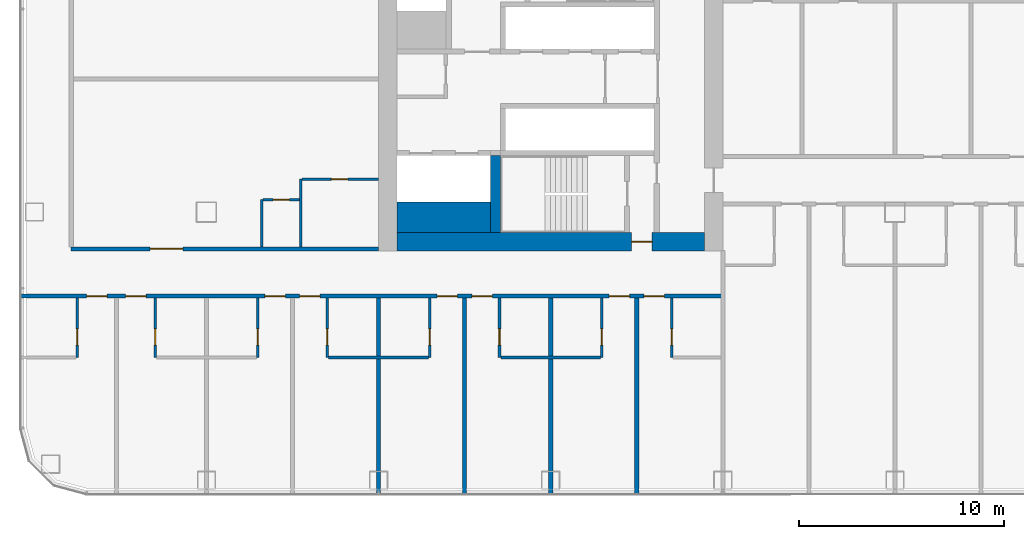
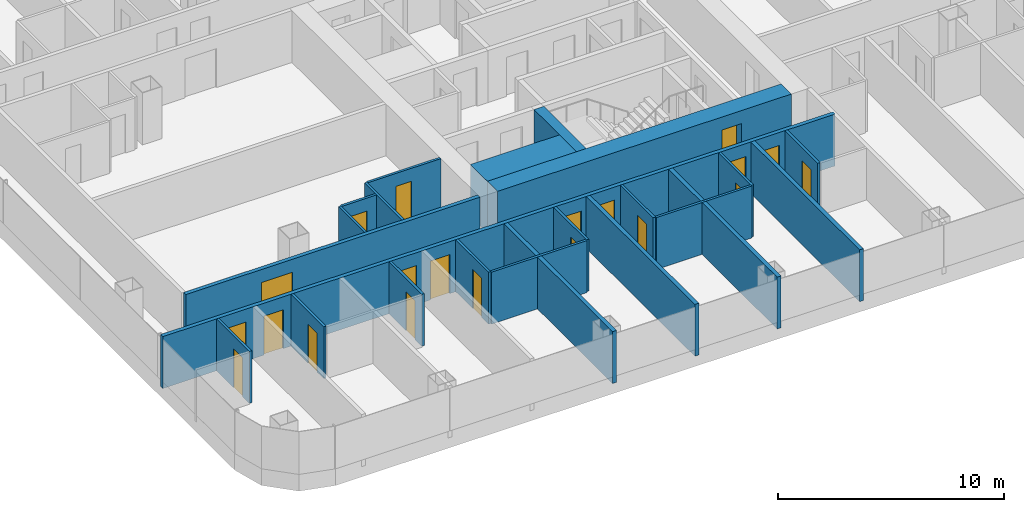
# One storey, part 13 of 29: 23 walls, 20 doors, 20 openings.
"""IFC4 building model written with IfcOpenShell, lengths in metres."""

from ifc_helpers import new_model, si_unit, direction, frame, frame_2d, origin, place, context, subcontext, project, spatial, rectangle, extrude, material, layer, layer_set, type_object, element, fill, save


model = new_model("IFC4")

# Units and contexts
model_context = context("Model", 3, precision=1e-05, world=origin(), true_north=direction((0.0, 1.0)))
body_context = subcontext(model_context, "Body", "Model", "MODEL_VIEW")
ifc_project = project(units=[si_unit("LENGTHUNIT", "METRE"), si_unit("AREAUNIT", "SQUARE_METRE"), si_unit("VOLUMEUNIT", "CUBIC_METRE"), si_unit("PLANEANGLEUNIT", "RADIAN"), si_unit("MASSUNIT", "GRAM", prefix="KILO")], contexts=[model_context])

# Site, building, storey
site_placement = place(None, origin())
site = spatial("IfcSite", under=ifc_project, at=site_placement, CompositionType="ELEMENT")
building_placement = place(site_placement, origin())
building = spatial("IfcBuilding", under=site, at=building_placement, Name="Hakoniwa Tower and Hamabe Station Hall", CompositionType="ELEMENT")
storey_placement = place(building_placement, frame((0.0, 0.0, 55.0)))
storey = spatial("IfcBuildingStorey", under=building, at=storey_placement, Name="L15", CompositionType="ELEMENT", Elevation=55.0)

# Walls
ifc_material_1 = material(Name="Gypsum board partition", Category="gypsum")
ifc_layer_1 = layer(ifc_material_1, 0.125)
ifc_layer_set_1 = layer_set([ifc_layer_1], Name="Bathroom Partition 125")
wall_type_1 = type_object("IfcWallType", Name="Bathroom Partition 125", PredefinedType="PARTITIONING", material=ifc_layer_set_1)
for number, where, z_axis, x_axis, name in (
    (1, (-36.03759765625, -13.60009765625, 0.0), (0.0, 0.0, 1.0), (1.0, 0.0, 0.0), "GW-L15-003"),
    (2, (-27.637451171875, -13.60009765625, 0.0), (0.0, 0.0, 1.0), (1.0, 0.0, 0.0), "GW-L15-004"),
):
    element("IfcWall", number, at=place(storey_placement, frame(where, z_axis=z_axis, x_axis=x_axis)), inside=storey, type_object=wall_type_1, Name=name, PredefinedType="PARTITIONING", context=body_context, shape_type="SweptSolid", body=[
        extrude(rectangle(XDim=4.875, YDim=0.125, at=frame_2d((2.4375, 0.0))), origin(), (0.0, 0.0, 1.0), 2.800048828125),
    ])

# Wall, opening, door
wall_1_placement = place(storey_placement, frame((-39.237548828125, -5.89990234375, 0.0), z_axis=(0.0, 0.0, 1.0), x_axis=(1.0, 0.0, 0.0)))
wall_1 = element("IfcWall", 3, at=wall_1_placement, inside=storey, type_object=wall_type_1, Name="GW-L15-021", PredefinedType="PARTITIONING", context=body_context, shape_type="SweptSolid", body=[
    extrude(rectangle(XDim=1.775146484375, YDim=0.125, at=frame_2d((0.8876953125, 0.0))), origin(), (0.0, 0.0, 1.0), 2.800048828125),
])
opening_1_placement = place(wall_1_placement, frame((0.487548828125, 0.0, 0.0)))
opening_1 = element("IfcOpeningElement", 4, at=opening_1_placement, cuts=wall_1, Name="Opening GD-G1B2-28", PredefinedType="OPENING", context=body_context, shape_type="SweptSolid", body=[
    extrude(rectangle(XDim=0.800048828125, YDim=2.10009765625, at=frame_2d((0.39990234375, 1.050048828125))), frame((0.0, 0.072509765625, 0.0), z_axis=(0.0, -1.0, 0.0), x_axis=(1.0, 0.0, 0.0)), (0.0, 0.0, 1.0), 0.14501953125),
])
ifc_material_2 = material(Name="Timber door leaf", Category="wood")
door_type_1 = type_object("IfcDoorType", Name="Bathroom Door 800", OperationType="SINGLE_SWING_LEFT", PredefinedType="DOOR", material=ifc_material_2)
door_1_placement = place(opening_1_placement, origin())
door_1 = element("IfcDoor", 5, at=door_1_placement, inside=storey, type_object=door_type_1, Name="Door GD-G1B2-28", OperationType="SINGLE_SWING_RIGHT", OverallHeight=2.10009765625, OverallWidth=0.800048828125, PredefinedType="DOOR", context=body_context, shape_type="SweptSolid", body=[
    extrude(rectangle(XDim=0.800048828125, YDim=2.10009765625, at=frame_2d((0.39990234375, 1.050048828125))), frame((0.0, 0.02490234375, 0.0), z_axis=(0.0, -1.0, 0.0), x_axis=(1.0, 0.0, 0.0)), (0.0, 0.0, 1.0), 0.050048828125),
])
fill(opening_1, door_1)

wall_2_placement = place(storey_placement, frame((-37.33740234375, -4.89990234375, 0.0), z_axis=(0.0, 0.0, 1.0), x_axis=(1.0, 0.0, 0.0)))
wall_2 = element("IfcWall", 6, at=wall_2_placement, inside=storey, type_object=wall_type_1, Name="GW-L15-022", PredefinedType="PARTITIONING", context=body_context, shape_type="SweptSolid", body=[
    extrude(rectangle(XDim=3.7373046875, YDim=0.125, at=frame_2d((1.86865234375, 0.0))), origin(), (0.0, 0.0, 1.0), 2.800048828125),
])
opening_2_placement = place(wall_2_placement, frame((1.4375, 0.0, 0.0)))
opening_2 = element("IfcOpeningElement", 7, at=opening_2_placement, cuts=wall_2, Name="Opening GD-G1B2-29", PredefinedType="OPENING", context=body_context, shape_type="SweptSolid", body=[
    extrude(rectangle(XDim=0.800048828125, YDim=2.10009765625, at=frame_2d((0.39990234375, 1.050048828125))), frame((0.0, 0.072509765625, 0.0), z_axis=(0.0, -1.0, 0.0), x_axis=(1.0, 0.0, 0.0)), (0.0, 0.0, 1.0), 0.14501953125),
])
door_2_placement = place(opening_2_placement, origin())
door_2 = element("IfcDoor", 8, at=door_2_placement, inside=storey, type_object=door_type_1, Name="Door GD-G1B2-29", OperationType="SINGLE_SWING_LEFT", OverallHeight=2.10009765625, OverallWidth=0.800048828125, PredefinedType="DOOR", context=body_context, shape_type="SweptSolid", body=[
    extrude(rectangle(XDim=0.800048828125, YDim=2.10009765625, at=frame_2d((0.39990234375, 1.050048828125))), frame((0.0, 0.02490234375, 0.0), z_axis=(0.0, -1.0, 0.0), x_axis=(1.0, 0.0, 0.0)), (0.0, 0.0, 1.0), 0.050048828125),
])
fill(opening_2, door_2)

wall_3_placement = place(storey_placement, frame((-48.300048828125, -13.60009765625, 0.0), z_axis=(0.0, 0.0, 1.0), x_axis=(0.0, 1.0, 0.0)))
wall_3 = element("IfcWall", 9, at=wall_3_placement, inside=storey, type_object=wall_type_1, Name="GW-L15-048", PredefinedType="PARTITIONING", context=body_context, shape_type="SweptSolid", body=[
    extrude(rectangle(XDim=2.900146484375, YDim=0.125, at=frame_2d((1.4501953125, 0.0))), origin(), (0.0, 0.0, 1.0), 2.800048828125),
])
opening_3_placement = place(wall_3_placement, frame((0.60009765625, 0.0, 0.0)))
opening_3 = element("IfcOpeningElement", 10, at=opening_3_placement, cuts=wall_3, Name="Opening GD-G1B2-67", PredefinedType="OPENING", context=body_context, shape_type="SweptSolid", body=[
    extrude(rectangle(XDim=0.800048828125, YDim=2.10009765625, at=frame_2d((0.39990234375, 1.050048828125))), frame((0.0, 0.072509765625, 0.0), z_axis=(0.0, -1.0, 0.0), x_axis=(1.0, 0.0, 0.0)), (0.0, 0.0, 1.0), 0.14501953125),
])
door_3_placement = place(opening_3_placement, origin())
door_3 = element("IfcDoor", 11, at=door_3_placement, inside=storey, type_object=door_type_1, Name="Door GD-G1B2-67", OperationType="SINGLE_SWING_RIGHT", OverallHeight=2.10009765625, OverallWidth=0.800048828125, PredefinedType="DOOR", context=body_context, shape_type="SweptSolid", body=[
    extrude(rectangle(XDim=0.800048828125, YDim=2.10009765625, at=frame_2d((0.39990234375, 1.050048828125))), frame((0.0, 0.02490234375, 0.0), z_axis=(0.0, -1.0, 0.0), x_axis=(1.0, 0.0, 0.0)), (0.0, 0.0, 1.0), 0.050048828125),
])
fill(opening_3, door_3)

wall_4_placement = place(storey_placement, frame((-44.5, -13.60009765625, 0.0), z_axis=(0.0, 0.0, 1.0), x_axis=(0.0, 1.0, 0.0)))
wall_4 = element("IfcWall", 12, at=wall_4_placement, inside=storey, type_object=wall_type_1, Name="GW-L15-053", PredefinedType="PARTITIONING", context=body_context, shape_type="SweptSolid", body=[
    extrude(rectangle(XDim=2.900146484375, YDim=0.125, at=frame_2d((1.4501953125, 0.0))), origin(), (0.0, 0.0, 1.0), 2.800048828125),
])
opening_4_placement = place(wall_4_placement, frame((0.60009765625, 0.0, 0.0)))
opening_4 = element("IfcOpeningElement", 13, at=opening_4_placement, cuts=wall_4, Name="Opening GD-G1B2-69", PredefinedType="OPENING", context=body_context, shape_type="SweptSolid", body=[
    extrude(rectangle(XDim=0.800048828125, YDim=2.10009765625, at=frame_2d((0.39990234375, 1.050048828125))), frame((0.0, 0.072509765625, 0.0), z_axis=(0.0, -1.0, 0.0), x_axis=(1.0, 0.0, 0.0)), (0.0, 0.0, 1.0), 0.14501953125),
])
door_4_placement = place(opening_4_placement, origin())
door_4 = element("IfcDoor", 14, at=door_4_placement, inside=storey, type_object=door_type_1, Name="Door GD-G1B2-69", OperationType="SINGLE_SWING_LEFT", OverallHeight=2.10009765625, OverallWidth=0.800048828125, PredefinedType="DOOR", context=body_context, shape_type="SweptSolid", body=[
    extrude(rectangle(XDim=0.800048828125, YDim=2.10009765625, at=frame_2d((0.39990234375, 1.050048828125))), frame((0.0, 0.02490234375, 0.0), z_axis=(0.0, -1.0, 0.0), x_axis=(1.0, 0.0, 0.0)), (0.0, 0.0, 1.0), 0.050048828125),
])
fill(opening_4, door_4)

wall_5_placement = place(storey_placement, frame((-39.5, -13.60009765625, 0.0), z_axis=(0.0, 0.0, 1.0), x_axis=(0.0, 1.0, 0.0)))
wall_5 = element("IfcWall", 15, at=wall_5_placement, inside=storey, type_object=wall_type_1, Name="GW-L15-058", PredefinedType="PARTITIONING", context=body_context, shape_type="SweptSolid", body=[
    extrude(rectangle(XDim=2.900146484375, YDim=0.125, at=frame_2d((1.4501953125, 0.0))), origin(), (0.0, 0.0, 1.0), 2.800048828125),
])
opening_5_placement = place(wall_5_placement, frame((0.60009765625, 0.0, 0.0)))
opening_5 = element("IfcOpeningElement", 16, at=opening_5_placement, cuts=wall_5, Name="Opening GD-G1B2-71", PredefinedType="OPENING", context=body_context, shape_type="SweptSolid", body=[
    extrude(rectangle(XDim=0.800048828125, YDim=2.10009765625, at=frame_2d((0.39990234375, 1.050048828125))), frame((0.0, 0.072509765625, 0.0), z_axis=(0.0, -1.0, 0.0), x_axis=(1.0, 0.0, 0.0)), (0.0, 0.0, 1.0), 0.14501953125),
])
door_5_placement = place(opening_5_placement, origin())
door_5 = element("IfcDoor", 17, at=door_5_placement, inside=storey, type_object=door_type_1, Name="Door GD-G1B2-71", OperationType="SINGLE_SWING_RIGHT", OverallHeight=2.10009765625, OverallWidth=0.800048828125, PredefinedType="DOOR", context=body_context, shape_type="SweptSolid", body=[
    extrude(rectangle(XDim=0.800048828125, YDim=2.10009765625, at=frame_2d((0.39990234375, 1.050048828125))), frame((0.0, 0.02490234375, 0.0), z_axis=(0.0, -1.0, 0.0), x_axis=(1.0, 0.0, 0.0)), (0.0, 0.0, 1.0), 0.050048828125),
])
fill(opening_5, door_5)

# Walls
wall_6_placement = place(storey_placement, frame((-39.300048828125, -8.199951171875, 0.0), z_axis=(0.0, 0.0, 1.0), x_axis=(0.0, 1.0, 0.0)))
element("IfcWall", 18, at=wall_6_placement, inside=storey, type_object=wall_type_1, Name="GW-L15-060", PredefinedType="PARTITIONING", context=body_context, shape_type="SweptSolid", body=[
    extrude(rectangle(XDim=2.300048828125, YDim=0.125, at=frame_2d((1.14990234375, 0.0))), origin(), (0.0, 0.0, 1.0), 2.800048828125),
])
wall_7_placement = place(storey_placement, frame((-37.39990234375, -8.199951171875, 0.0), z_axis=(0.0, 0.0, 1.0), x_axis=(0.0, 1.0, 0.0)))
element("IfcWall", 19, at=wall_7_placement, inside=storey, type_object=wall_type_1, Name="GW-L15-063", PredefinedType="PARTITIONING", context=body_context, shape_type="SweptSolid", body=[
    extrude(rectangle(XDim=3.300048828125, YDim=0.125, at=frame_2d((1.64990234375, 0.0))), origin(), (0.0, 0.0, 1.0), 2.800048828125),
])

# Wall, opening, door
wall_8_placement = place(storey_placement, frame((-36.10009765625, -13.60009765625, 0.0), z_axis=(0.0, 0.0, 1.0), x_axis=(0.0, 1.0, 0.0)))
wall_8 = element("IfcWall", 20, at=wall_8_placement, inside=storey, type_object=wall_type_1, Name="GW-L15-064", PredefinedType="PARTITIONING", context=body_context, shape_type="SweptSolid", body=[
    extrude(rectangle(XDim=2.900146484375, YDim=0.125, at=frame_2d((1.4501953125, 0.0))), origin(), (0.0, 0.0, 1.0), 2.800048828125),
])
opening_6_placement = place(wall_8_placement, frame((0.60009765625, 0.0, 0.0)))
opening_6 = element("IfcOpeningElement", 21, at=opening_6_placement, cuts=wall_8, Name="Opening GD-G1B2-73", PredefinedType="OPENING", context=body_context, shape_type="SweptSolid", body=[
    extrude(rectangle(XDim=0.800048828125, YDim=2.10009765625, at=frame_2d((0.39990234375, 1.050048828125))), frame((0.0, 0.072509765625, 0.0), z_axis=(0.0, -1.0, 0.0), x_axis=(1.0, 0.0, 0.0)), (0.0, 0.0, 1.0), 0.14501953125),
])
door_6_placement = place(opening_6_placement, origin())
door_6 = element("IfcDoor", 22, at=door_6_placement, inside=storey, type_object=door_type_1, Name="Door GD-G1B2-73", OperationType="SINGLE_SWING_LEFT", OverallHeight=2.10009765625, OverallWidth=0.800048828125, PredefinedType="DOOR", context=body_context, shape_type="SweptSolid", body=[
    extrude(rectangle(XDim=0.800048828125, YDim=2.10009765625, at=frame_2d((0.39990234375, 1.050048828125))), frame((0.0, 0.02490234375, 0.0), z_axis=(0.0, -1.0, 0.0), x_axis=(1.0, 0.0, 0.0)), (0.0, 0.0, 1.0), 0.050048828125),
])
fill(opening_6, door_6)

wall_9_placement = place(storey_placement, frame((-31.10009765625, -13.60009765625, 0.0), z_axis=(0.0, 0.0, 1.0), x_axis=(0.0, 1.0, 0.0)))
wall_9 = element("IfcWall", 23, at=wall_9_placement, inside=storey, type_object=wall_type_1, Name="GW-L15-068", PredefinedType="PARTITIONING", context=body_context, shape_type="SweptSolid", body=[
    extrude(rectangle(XDim=2.900146484375, YDim=0.125, at=frame_2d((1.4501953125, 0.0))), origin(), (0.0, 0.0, 1.0), 2.800048828125),
])
opening_7_placement = place(wall_9_placement, frame((0.60009765625, 0.0, 0.0)))
opening_7 = element("IfcOpeningElement", 24, at=opening_7_placement, cuts=wall_9, Name="Opening GD-G1B2-75", PredefinedType="OPENING", context=body_context, shape_type="SweptSolid", body=[
    extrude(rectangle(XDim=0.800048828125, YDim=2.10009765625, at=frame_2d((0.39990234375, 1.050048828125))), frame((0.0, 0.072509765625, 0.0), z_axis=(0.0, -1.0, 0.0), x_axis=(1.0, 0.0, 0.0)), (0.0, 0.0, 1.0), 0.14501953125),
])
door_7_placement = place(opening_7_placement, origin())
door_7 = element("IfcDoor", 25, at=door_7_placement, inside=storey, type_object=door_type_1, Name="Door GD-G1B2-75", OperationType="SINGLE_SWING_RIGHT", OverallHeight=2.10009765625, OverallWidth=0.800048828125, PredefinedType="DOOR", context=body_context, shape_type="SweptSolid", body=[
    extrude(rectangle(XDim=0.800048828125, YDim=2.10009765625, at=frame_2d((0.39990234375, 1.050048828125))), frame((0.0, 0.02490234375, 0.0), z_axis=(0.0, -1.0, 0.0), x_axis=(1.0, 0.0, 0.0)), (0.0, 0.0, 1.0), 0.050048828125),
])
fill(opening_7, door_7)

wall_10_placement = place(storey_placement, frame((-27.699951171875, -13.60009765625, 0.0), z_axis=(0.0, 0.0, 1.0), x_axis=(0.0, 1.0, 0.0)))
wall_10 = element("IfcWall", 26, at=wall_10_placement, inside=storey, type_object=wall_type_1, Name="GW-L15-072", PredefinedType="PARTITIONING", context=body_context, shape_type="SweptSolid", body=[
    extrude(rectangle(XDim=2.900146484375, YDim=0.125, at=frame_2d((1.4501953125, 0.0))), origin(), (0.0, 0.0, 1.0), 2.800048828125),
])
opening_8_placement = place(wall_10_placement, frame((0.60009765625, 0.0, 0.0)))
opening_8 = element("IfcOpeningElement", 27, at=opening_8_placement, cuts=wall_10, Name="Opening GD-G1B2-77", PredefinedType="OPENING", context=body_context, shape_type="SweptSolid", body=[
    extrude(rectangle(XDim=0.800048828125, YDim=2.10009765625, at=frame_2d((0.39990234375, 1.050048828125))), frame((0.0, 0.072509765625, 0.0), z_axis=(0.0, -1.0, 0.0), x_axis=(1.0, 0.0, 0.0)), (0.0, 0.0, 1.0), 0.14501953125),
])
door_8_placement = place(opening_8_placement, origin())
door_8 = element("IfcDoor", 28, at=door_8_placement, inside=storey, type_object=door_type_1, Name="Door GD-G1B2-77", OperationType="SINGLE_SWING_LEFT", OverallHeight=2.10009765625, OverallWidth=0.800048828125, PredefinedType="DOOR", context=body_context, shape_type="SweptSolid", body=[
    extrude(rectangle(XDim=0.800048828125, YDim=2.10009765625, at=frame_2d((0.39990234375, 1.050048828125))), frame((0.0, 0.02490234375, 0.0), z_axis=(0.0, -1.0, 0.0), x_axis=(1.0, 0.0, 0.0)), (0.0, 0.0, 1.0), 0.050048828125),
])
fill(opening_8, door_8)

wall_11_placement = place(storey_placement, frame((-22.699951171875, -13.60009765625, 0.0), z_axis=(0.0, 0.0, 1.0), x_axis=(0.0, 1.0, 0.0)))
wall_11 = element("IfcWall", 29, at=wall_11_placement, inside=storey, type_object=wall_type_1, Name="GW-L15-076", PredefinedType="PARTITIONING", context=body_context, shape_type="SweptSolid", body=[
    extrude(rectangle(XDim=2.900146484375, YDim=0.125, at=frame_2d((1.4501953125, 0.0))), origin(), (0.0, 0.0, 1.0), 2.800048828125),
])
opening_9_placement = place(wall_11_placement, frame((0.60009765625, 0.0, 0.0)))
opening_9 = element("IfcOpeningElement", 30, at=opening_9_placement, cuts=wall_11, Name="Opening GD-G1B2-79", PredefinedType="OPENING", context=body_context, shape_type="SweptSolid", body=[
    extrude(rectangle(XDim=0.800048828125, YDim=2.10009765625, at=frame_2d((0.39990234375, 1.050048828125))), frame((0.0, 0.072509765625, 0.0), z_axis=(0.0, -1.0, 0.0), x_axis=(1.0, 0.0, 0.0)), (0.0, 0.0, 1.0), 0.14501953125),
])
door_9_placement = place(opening_9_placement, origin())
door_9 = element("IfcDoor", 31, at=door_9_placement, inside=storey, type_object=door_type_1, Name="Door GD-G1B2-79", OperationType="SINGLE_SWING_RIGHT", OverallHeight=2.10009765625, OverallWidth=0.800048828125, PredefinedType="DOOR", context=body_context, shape_type="SweptSolid", body=[
    extrude(rectangle(XDim=0.800048828125, YDim=2.10009765625, at=frame_2d((0.39990234375, 1.050048828125))), frame((0.0, 0.02490234375, 0.0), z_axis=(0.0, -1.0, 0.0), x_axis=(1.0, 0.0, 0.0)), (0.0, 0.0, 1.0), 0.050048828125),
])
fill(opening_9, door_9)

wall_12_placement = place(storey_placement, frame((-19.300048828125, -13.60009765625, 0.0), z_axis=(0.0, 0.0, 1.0), x_axis=(0.0, 1.0, 0.0)))
wall_12 = element("IfcWall", 32, at=wall_12_placement, inside=storey, type_object=wall_type_1, Name="GW-L15-080", PredefinedType="PARTITIONING", context=body_context, shape_type="SweptSolid", body=[
    extrude(rectangle(XDim=2.900146484375, YDim=0.125, at=frame_2d((1.4501953125, 0.0))), origin(), (0.0, 0.0, 1.0), 2.800048828125),
])
opening_10_placement = place(wall_12_placement, frame((0.60009765625, 0.0, 0.0)))
opening_10 = element("IfcOpeningElement", 33, at=opening_10_placement, cuts=wall_12, Name="Opening GD-G1B2-81", PredefinedType="OPENING", context=body_context, shape_type="SweptSolid", body=[
    extrude(rectangle(XDim=0.800048828125, YDim=2.10009765625, at=frame_2d((0.39990234375, 1.050048828125))), frame((0.0, 0.072509765625, 0.0), z_axis=(0.0, -1.0, 0.0), x_axis=(1.0, 0.0, 0.0)), (0.0, 0.0, 1.0), 0.14501953125),
])
door_10_placement = place(opening_10_placement, origin())
door_10 = element("IfcDoor", 34, at=door_10_placement, inside=storey, type_object=door_type_1, Name="Door GD-G1B2-81", OperationType="SINGLE_SWING_LEFT", OverallHeight=2.10009765625, OverallWidth=0.800048828125, PredefinedType="DOOR", context=body_context, shape_type="SweptSolid", body=[
    extrude(rectangle(XDim=0.800048828125, YDim=2.10009765625, at=frame_2d((0.39990234375, 1.050048828125))), frame((0.0, 0.02490234375, 0.0), z_axis=(0.0, -1.0, 0.0), x_axis=(1.0, 0.0, 0.0)), (0.0, 0.0, 1.0), 0.050048828125),
])
fill(opening_10, door_10)

ifc_material_3 = material(Name="Concrete C80", Category="concrete")
ifc_layer_2 = layer(ifc_material_3, 0.89990234375)
ifc_layer_set_2 = layer_set([ifc_layer_2], Name="CORE WALL 900 C80")
wall_type_2 = type_object("IfcWallType", Name="CORE WALL 900 C80", PredefinedType="SHEAR", material=ifc_layer_set_2)
wall_13_placement = place(storey_placement, frame((-32.699951171875, -7.949951171875, 0.0), z_axis=(0.0, 0.0, 1.0), x_axis=(1.0, 0.0, 0.0)))
wall_13 = element("IfcWall", 35, at=wall_13_placement, inside=storey, type_object=wall_type_2, Name="Core wall SOUTH west", PredefinedType="SHEAR", context=body_context, shape_type="SweptSolid", body=[
    extrude(rectangle(XDim=15.0, YDim=0.89990234375, at=frame_2d((7.5, 0.0))), origin(), (0.0, 0.0, 1.0), 2.800048828125),
])
opening_11_placement = place(wall_13_placement, frame((11.449951171875, 0.0, 0.0)))
opening_11 = element("IfcOpeningElement", 36, at=opening_11_placement, cuts=wall_13, Name="Opening CD-W-FS3-10", PredefinedType="OPENING", context=body_context, shape_type="SweptSolid", body=[
    extrude(rectangle(XDim=1.0, YDim=2.10009765625, at=frame_2d((0.5, 1.050048828125))), frame((0.0, 0.4599609375, 0.0), z_axis=(0.0, -1.0, 0.0), x_axis=(1.0, 0.0, 0.0)), (0.0, 0.0, 1.0), 0.919921875),
])
ifc_material_4 = material(Name="Steel fire door", Category="steel")
door_type_2 = type_object("IfcDoorType", Name="CORE DOOR 1000 FD60", OperationType="NOTDEFINED", PredefinedType="DOOR", material=ifc_material_4)
door_11_placement = place(opening_11_placement, origin())
door_11 = element("IfcDoor", 37, at=door_11_placement, inside=storey, type_object=door_type_2, Name="Stair vestibule door", OperationType="SINGLE_SWING_RIGHT", OverallHeight=2.10009765625, OverallWidth=1.0, PredefinedType="DOOR", context=body_context, shape_type="SweptSolid", body=[
    extrude(rectangle(XDim=1.0, YDim=2.10009765625, at=frame_2d((0.5, 1.050048828125))), frame((0.0, 0.02490234375, 0.0), z_axis=(0.0, -1.0, 0.0), x_axis=(1.0, 0.0, 0.0)), (0.0, 0.0, 1.0), 0.050048828125),
])
fill(opening_11, door_11)

# Walls
ifc_material_5 = material(Name="Concrete C80", Category="concrete")
ifc_layer_3 = layer(ifc_material_5, 1.5)
ifc_layer_set_3 = layer_set([ifc_layer_3], Name="CORE WEB WALL 1500 C80")
wall_type_3 = type_object("IfcWallType", Name="CORE WEB WALL 1500 C80", PredefinedType="SHEAR", material=ifc_layer_set_3)
wall_14_placement = place(storey_placement, frame((-32.699951171875, -6.75, 0.0), z_axis=(0.0, 0.0, 1.0), x_axis=(1.0, 0.0, 0.0)))
element("IfcWall", 38, at=wall_14_placement, inside=storey, type_object=wall_type_3, Name="Core wall SER west", PredefinedType="SHEAR", context=body_context, shape_type="SweptSolid", body=[
    extrude(rectangle(XDim=4.550048828125, YDim=1.5, at=frame_2d((2.27490234375, 0.0))), origin(), (0.0, 0.0, 1.0), 2.800048828125),
])
ifc_material_6 = material(Name="Concrete C80", Category="concrete")
ifc_layer_4 = layer(ifc_material_6, 0.5)
ifc_layer_set_4 = layer_set([ifc_layer_4], Name="CORE WEB WALL 500 C80")
wall_type_4 = type_object("IfcWallType", Name="CORE WEB WALL 500 C80", PredefinedType="SHEAR", material=ifc_layer_set_4)
wall_15_placement = place(storey_placement, frame((-27.89990234375, -7.5, 0.0), z_axis=(0.0, 0.0, 1.0), x_axis=(0.0, 1.0, 0.0)))
element("IfcWall", 39, at=wall_15_placement, inside=storey, type_object=wall_type_4, Name="Core wall SSE west", PredefinedType="SHEAR", context=body_context, shape_type="SweptSolid", body=[
    extrude(rectangle(XDim=3.75, YDim=0.5, at=frame_2d((1.875, 0.0))), origin(), (0.0, 0.0, 1.0), 2.800048828125),
])

# Wall, openings, doors
ifc_material_7 = material(Name="Fire-rated gypsum board partition", Category="gypsum")
ifc_layer_5 = layer(ifc_material_7, 0.199951171875)
ifc_layer_set_5 = layer_set([ifc_layer_5], Name="Corridor Wall 200")
wall_type_5 = type_object("IfcWallType", Name="Corridor Wall 200", PredefinedType="PARTITIONING", material=ifc_layer_set_5)
wall_16_placement = place(storey_placement, frame((-51.10009765625, -10.60009765625, 0.0), z_axis=(0.0, 0.0, 1.0), x_axis=(1.0, 0.0, 0.0)))
wall_16 = element("IfcWall", 40, at=wall_16_placement, inside=storey, type_object=wall_type_5, Name="GW-L15-011", PredefinedType="PARTITIONING", context=body_context, shape_type="SweptSolid", body=[
    extrude(rectangle(XDim=34.300048828125, YDim=0.199951171875, at=frame_2d((17.14990234375, 0.0))), origin(), (0.0, 0.0, 1.0), 2.800048828125),
])
opening_12_placement = place(wall_16_placement, frame((3.25, 0.0, 0.0)))
opening_12 = element("IfcOpeningElement", 41, at=opening_12_placement, cuts=wall_16, Name="Opening GD-G1B2-01", PredefinedType="OPENING", context=body_context, shape_type="SweptSolid", body=[
    extrude(rectangle(XDim=1.0, YDim=2.10009765625, at=frame_2d((0.5, 1.050048828125))), frame((0.0, 0.10986328125, 0.0), z_axis=(0.0, -1.0, 0.0), x_axis=(1.0, 0.0, 0.0)), (0.0, 0.0, 1.0), 0.219970703125),
])
opening_13_placement = place(wall_16_placement, frame((5.14990234375, 0.0, 0.0)))
opening_13 = element("IfcOpeningElement", 42, at=opening_13_placement, cuts=wall_16, Name="Opening GD-G1B2-02", PredefinedType="OPENING", context=body_context, shape_type="SweptSolid", body=[
    extrude(rectangle(XDim=1.0, YDim=2.10009765625, at=frame_2d((0.5, 1.050048828125))), frame((0.0, 0.10986328125, 0.0), z_axis=(0.0, -1.0, 0.0), x_axis=(1.0, 0.0, 0.0)), (0.0, 0.0, 1.0), 0.219970703125),
])
opening_14_placement = place(wall_16_placement, frame((11.949951171875, 0.0, 0.0)))
opening_14 = element("IfcOpeningElement", 43, at=opening_14_placement, cuts=wall_16, Name="Opening GD-G1B2-03", PredefinedType="OPENING", context=body_context, shape_type="SweptSolid", body=[
    extrude(rectangle(XDim=1.0, YDim=2.10009765625, at=frame_2d((0.5, 1.050048828125))), frame((0.0, 0.10986328125, 0.0), z_axis=(0.0, -1.0, 0.0), x_axis=(1.0, 0.0, 0.0)), (0.0, 0.0, 1.0), 0.219970703125),
])
opening_15_placement = place(wall_16_placement, frame((13.64990234375, 0.0, 0.0)))
opening_15 = element("IfcOpeningElement", 44, at=opening_15_placement, cuts=wall_16, Name="Opening GD-G1B2-04", PredefinedType="OPENING", context=body_context, shape_type="SweptSolid", body=[
    extrude(rectangle(XDim=1.0, YDim=2.10009765625, at=frame_2d((0.5, 1.050048828125))), frame((0.0, 0.10986328125, 0.0), z_axis=(0.0, -1.0, 0.0), x_axis=(1.0, 0.0, 0.0)), (0.0, 0.0, 1.0), 0.219970703125),
])
opening_16_placement = place(wall_16_placement, frame((20.35009765625, 0.0, 0.0)))
opening_16 = element("IfcOpeningElement", 45, at=opening_16_placement, cuts=wall_16, Name="Opening GD-G1B2-05", PredefinedType="OPENING", context=body_context, shape_type="SweptSolid", body=[
    extrude(rectangle(XDim=1.0, YDim=2.10009765625, at=frame_2d((0.5, 1.050048828125))), frame((0.0, 0.10986328125, 0.0), z_axis=(0.0, -1.0, 0.0), x_axis=(1.0, 0.0, 0.0)), (0.0, 0.0, 1.0), 0.219970703125),
])
opening_17_placement = place(wall_16_placement, frame((22.050048828125, 0.0, 0.0)))
opening_17 = element("IfcOpeningElement", 46, at=opening_17_placement, cuts=wall_16, Name="Opening GD-G1B2-06", PredefinedType="OPENING", context=body_context, shape_type="SweptSolid", body=[
    extrude(rectangle(XDim=1.0, YDim=2.10009765625, at=frame_2d((0.5, 1.050048828125))), frame((0.0, 0.10986328125, 0.0), z_axis=(0.0, -1.0, 0.0), x_axis=(1.0, 0.0, 0.0)), (0.0, 0.0, 1.0), 0.219970703125),
])
opening_18_placement = place(wall_16_placement, frame((28.75, 0.0, 0.0)))
opening_18 = element("IfcOpeningElement", 47, at=opening_18_placement, cuts=wall_16, Name="Opening GD-G1B2-07", PredefinedType="OPENING", context=body_context, shape_type="SweptSolid", body=[
    extrude(rectangle(XDim=1.0, YDim=2.10009765625, at=frame_2d((0.5, 1.050048828125))), frame((0.0, 0.10986328125, 0.0), z_axis=(0.0, -1.0, 0.0), x_axis=(1.0, 0.0, 0.0)), (0.0, 0.0, 1.0), 0.219970703125),
])
opening_19_placement = place(wall_16_placement, frame((30.449951171875, 0.0, 0.0)))
opening_19 = element("IfcOpeningElement", 48, at=opening_19_placement, cuts=wall_16, Name="Opening GD-G1B2-08", PredefinedType="OPENING", context=body_context, shape_type="SweptSolid", body=[
    extrude(rectangle(XDim=1.0, YDim=2.10009765625, at=frame_2d((0.5, 1.050048828125))), frame((0.0, 0.10986328125, 0.0), z_axis=(0.0, -1.0, 0.0), x_axis=(1.0, 0.0, 0.0)), (0.0, 0.0, 1.0), 0.219970703125),
])
ifc_material_8 = material(Name="Timber door leaf", Category="wood")
door_type_3 = type_object("IfcDoorType", Name="Guest Entrance Door 1000", OperationType="SINGLE_SWING_LEFT", PredefinedType="DOOR", material=ifc_material_8)
door_12_placement = place(opening_12_placement, origin())
door_12 = element("IfcDoor", 49, at=door_12_placement, inside=storey, type_object=door_type_3, Name="Door GD-G1B2-01", OperationType="SINGLE_SWING_LEFT", OverallHeight=2.10009765625, OverallWidth=1.0, PredefinedType="DOOR", context=body_context, shape_type="SweptSolid", body=[
    extrude(rectangle(XDim=1.0, YDim=2.10009765625, at=frame_2d((0.5, 1.050048828125))), frame((0.0, 0.02490234375, 0.0), z_axis=(0.0, -1.0, 0.0), x_axis=(1.0, 0.0, 0.0)), (0.0, 0.0, 1.0), 0.050048828125),
])
fill(opening_12, door_12)
door_13_placement = place(opening_13_placement, origin())
door_13 = element("IfcDoor", 50, at=door_13_placement, inside=storey, type_object=door_type_3, Name="Door GD-G1B2-02", OperationType="SINGLE_SWING_RIGHT", OverallHeight=2.10009765625, OverallWidth=1.0, PredefinedType="DOOR", context=body_context, shape_type="SweptSolid", body=[
    extrude(rectangle(XDim=1.0, YDim=2.10009765625, at=frame_2d((0.5, 1.050048828125))), frame((0.0, 0.02490234375, 0.0), z_axis=(0.0, -1.0, 0.0), x_axis=(1.0, 0.0, 0.0)), (0.0, 0.0, 1.0), 0.050048828125),
])
fill(opening_13, door_13)
door_14_placement = place(opening_14_placement, origin())
door_14 = element("IfcDoor", 51, at=door_14_placement, inside=storey, type_object=door_type_3, Name="Door GD-G1B2-03", OperationType="SINGLE_SWING_LEFT", OverallHeight=2.10009765625, OverallWidth=1.0, PredefinedType="DOOR", context=body_context, shape_type="SweptSolid", body=[
    extrude(rectangle(XDim=1.0, YDim=2.10009765625, at=frame_2d((0.5, 1.050048828125))), frame((0.0, 0.02490234375, 0.0), z_axis=(0.0, -1.0, 0.0), x_axis=(1.0, 0.0, 0.0)), (0.0, 0.0, 1.0), 0.050048828125),
])
fill(opening_14, door_14)
door_15_placement = place(opening_15_placement, origin())
door_15 = element("IfcDoor", 52, at=door_15_placement, inside=storey, type_object=door_type_3, Name="Door GD-G1B2-04", OperationType="SINGLE_SWING_RIGHT", OverallHeight=2.10009765625, OverallWidth=1.0, PredefinedType="DOOR", context=body_context, shape_type="SweptSolid", body=[
    extrude(rectangle(XDim=1.0, YDim=2.10009765625, at=frame_2d((0.5, 1.050048828125))), frame((0.0, 0.02490234375, 0.0), z_axis=(0.0, -1.0, 0.0), x_axis=(1.0, 0.0, 0.0)), (0.0, 0.0, 1.0), 0.050048828125),
])
fill(opening_15, door_15)
door_16_placement = place(opening_16_placement, origin())
door_16 = element("IfcDoor", 53, at=door_16_placement, inside=storey, type_object=door_type_3, Name="Door GD-G1B2-05", OperationType="SINGLE_SWING_LEFT", OverallHeight=2.10009765625, OverallWidth=1.0, PredefinedType="DOOR", context=body_context, shape_type="SweptSolid", body=[
    extrude(rectangle(XDim=1.0, YDim=2.10009765625, at=frame_2d((0.5, 1.050048828125))), frame((0.0, 0.02490234375, 0.0), z_axis=(0.0, -1.0, 0.0), x_axis=(1.0, 0.0, 0.0)), (0.0, 0.0, 1.0), 0.050048828125),
])
fill(opening_16, door_16)
door_17_placement = place(opening_17_placement, origin())
door_17 = element("IfcDoor", 54, at=door_17_placement, inside=storey, type_object=door_type_3, Name="Door GD-G1B2-06", OperationType="SINGLE_SWING_RIGHT", OverallHeight=2.10009765625, OverallWidth=1.0, PredefinedType="DOOR", context=body_context, shape_type="SweptSolid", body=[
    extrude(rectangle(XDim=1.0, YDim=2.10009765625, at=frame_2d((0.5, 1.050048828125))), frame((0.0, 0.02490234375, 0.0), z_axis=(0.0, -1.0, 0.0), x_axis=(1.0, 0.0, 0.0)), (0.0, 0.0, 1.0), 0.050048828125),
])
fill(opening_17, door_17)
door_18_placement = place(opening_18_placement, origin())
door_18 = element("IfcDoor", 55, at=door_18_placement, inside=storey, type_object=door_type_3, Name="Door GD-G1B2-07", OperationType="SINGLE_SWING_LEFT", OverallHeight=2.10009765625, OverallWidth=1.0, PredefinedType="DOOR", context=body_context, shape_type="SweptSolid", body=[
    extrude(rectangle(XDim=1.0, YDim=2.10009765625, at=frame_2d((0.5, 1.050048828125))), frame((0.0, 0.02490234375, 0.0), z_axis=(0.0, -1.0, 0.0), x_axis=(1.0, 0.0, 0.0)), (0.0, 0.0, 1.0), 0.050048828125),
])
fill(opening_18, door_18)
door_19_placement = place(opening_19_placement, origin())
door_19 = element("IfcDoor", 56, at=door_19_placement, inside=storey, type_object=door_type_3, Name="Door GD-G1B2-08", OperationType="SINGLE_SWING_RIGHT", OverallHeight=2.10009765625, OverallWidth=1.0, PredefinedType="DOOR", context=body_context, shape_type="SweptSolid", body=[
    extrude(rectangle(XDim=1.0, YDim=2.10009765625, at=frame_2d((0.5, 1.050048828125))), frame((0.0, 0.02490234375, 0.0), z_axis=(0.0, -1.0, 0.0), x_axis=(1.0, 0.0, 0.0)), (0.0, 0.0, 1.0), 0.050048828125),
])
fill(opening_19, door_19)

# Wall, opening, door
wall_17_placement = place(storey_placement, frame((-48.60009765625, -8.300048828125, 0.0), z_axis=(0.0, 0.0, 1.0), x_axis=(1.0, 0.0, 0.0)))
wall_17 = element("IfcWall", 57, at=wall_17_placement, inside=storey, type_object=wall_type_5, Name="GW-L15-018", PredefinedType="PARTITIONING", context=body_context, shape_type="SweptSolid", body=[
    extrude(rectangle(XDim=15.0, YDim=0.199951171875, at=frame_2d((7.5, 0.0))), origin(), (0.0, 0.0, 1.0), 2.800048828125),
])
opening_20_placement = place(wall_17_placement, frame((3.85009765625, 0.0, 0.0)))
opening_20 = element("IfcOpeningElement", 58, at=opening_20_placement, cuts=wall_17, Name="Opening GD-G1B2-17", PredefinedType="OPENING", context=body_context, shape_type="SweptSolid", body=[
    extrude(rectangle(XDim=1.60009765625, YDim=2.10009765625, at=frame_2d((0.800048828125, 1.050048828125))), frame((0.0, 0.10986328125, 0.0), z_axis=(0.0, -1.0, 0.0), x_axis=(1.0, 0.0, 0.0)), (0.0, 0.0, 1.0), 0.219970703125),
])
ifc_material_9 = material(Name="Timber door leaf", Category="wood")
door_type_4 = type_object("IfcDoorType", Name="Double Door 1600", OperationType="DOUBLE_DOOR_SINGLE_SWING", PredefinedType="DOOR", material=ifc_material_9)
door_20_placement = place(opening_20_placement, origin())
door_20 = element("IfcDoor", 59, at=door_20_placement, inside=storey, type_object=door_type_4, Name="Door GD-G1B2-17", OperationType="DOUBLE_DOOR_SINGLE_SWING", OverallHeight=2.10009765625, OverallWidth=1.60009765625, PredefinedType="DOOR", context=body_context, shape_type="SweptSolid", body=[
    extrude(rectangle(XDim=1.60009765625, YDim=2.10009765625, at=frame_2d((0.800048828125, 1.050048828125))), frame((0.0, 0.02490234375, 0.0), z_axis=(0.0, -1.0, 0.0), x_axis=(1.0, 0.0, 0.0)), (0.0, 0.0, 1.0), 0.050048828125),
])
fill(opening_20, door_20)

# Walls
ifc_material_10 = material(Name="Fire-rated gypsum board partition", Category="gypsum")
ifc_layer_6 = layer(ifc_material_10, 0.199951171875)
ifc_layer_set_6 = layer_set([ifc_layer_6], Name="Party Wall 200")
wall_type_6 = type_object("IfcWallType", Name="Party Wall 200", PredefinedType="PARTITIONING", material=ifc_layer_set_6)
for number, where, z_axis, x_axis, name in (
    (60, (-33.60009765625, -20.300048828125, 0.0), (0.0, 0.0, 1.0), (0.0, 1.0, 0.0), "GW-L15-066"),
    (61, (-29.39990234375, -20.300048828125, 0.0), (0.0, 0.0, 1.0), (0.0, 1.0, 0.0), "GW-L15-070"),
    (62, (-25.199951171875, -20.300048828125, 0.0), (0.0, 0.0, 1.0), (0.0, 1.0, 0.0), "GW-L15-074"),
    (63, (-21.0, -20.300048828125, 0.0), (0.0, 0.0, 1.0), (0.0, 1.0, 0.0), "GW-L15-078"),
):
    element("IfcWall", number, at=place(storey_placement, frame(where, z_axis=z_axis, x_axis=x_axis)), inside=storey, type_object=wall_type_6, Name=name, PredefinedType="PARTITIONING", context=body_context, shape_type="SweptSolid", body=[
        extrude(rectangle(XDim=9.60009765625, YDim=0.199951171875, at=frame_2d((4.800048828125, 0.0))), origin(), (0.0, 0.0, 1.0), 2.800048828125),
    ])

save(model, "model.ifc")
